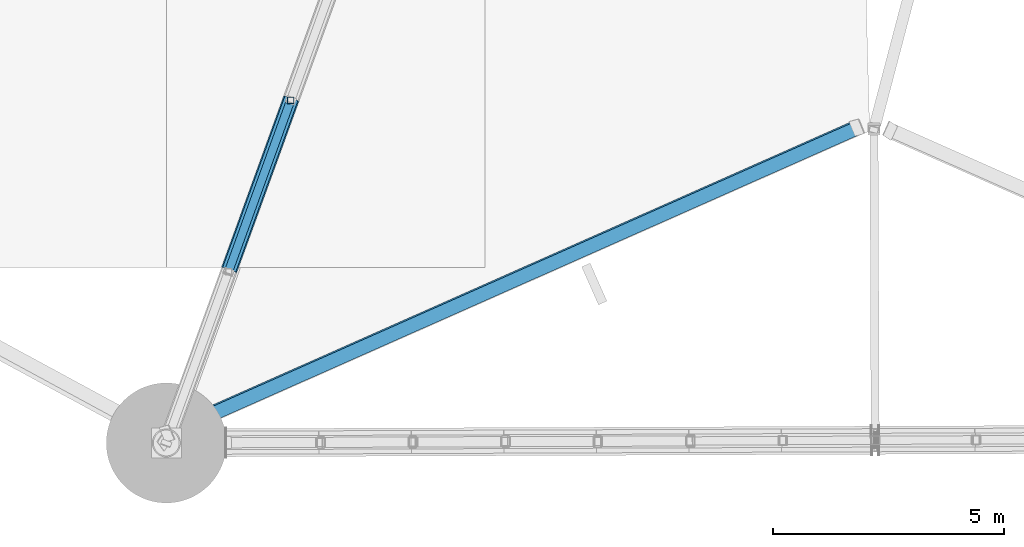
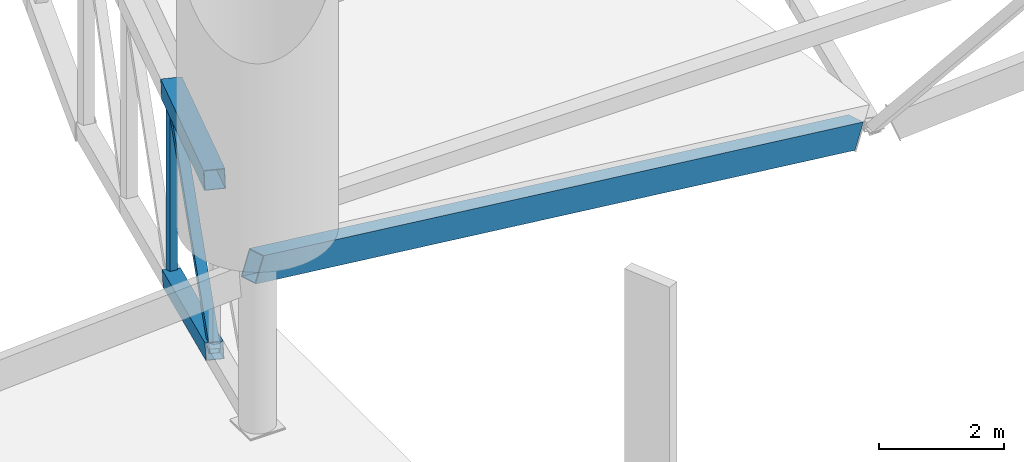
# One storey, part 16 of 188: 4 members, 1 beam.
"""IFC4 building model written with IfcOpenShell, lengths in metres."""

from ifc_helpers import new_model, si_unit, direction, frame, origin, origin_2d, place, context, subcontext, project, spatial, hollow_rectangle, extrude, material, material_profile, profile_set, type_object, element, save


model = new_model("IFC4")

# Units and contexts
model_context = context("Model", 3, precision=1e-05, world=origin(), true_north=direction((0.0, 1.0)))
body_context = subcontext(model_context, "Body", "Model", "MODEL_VIEW")
ifc_project = project(units=[si_unit("LENGTHUNIT", "METRE"), si_unit("AREAUNIT", "SQUARE_METRE"), si_unit("VOLUMEUNIT", "CUBIC_METRE"), si_unit("PLANEANGLEUNIT", "RADIAN"), si_unit("MASSUNIT", "GRAM", prefix="KILO")], contexts=[model_context])

# Site, building, storey
site_placement = place(None, origin())
site = spatial("IfcSite", under=ifc_project, at=site_placement, CompositionType="ELEMENT")
building_placement = place(site_placement, origin())
building = spatial("IfcBuilding", under=site, at=building_placement, Name="Meseta Stadium", CompositionType="ELEMENT")
storey_placement = place(building_placement, frame((0.0, 0.0, 30.0)))
storey = spatial("IfcBuildingStorey", under=building, at=storey_placement, Name="ROOF", CompositionType="ELEMENT", Elevation=30.0)

# Beam
ifc_material_1 = material(Name="Steel S355", Category="steel")
ifc_material_profile_1 = material_profile(ifc_material_1, hollow_rectangle(XDim=0.300048828125, YDim=0.5, WallThickness=0.01611328125, at=origin_2d()), Name="RHS 500x300x16")
ifc_profile_set_1 = profile_set([ifc_material_profile_1], Name="Steel S355")
beam_type = type_object("IfcBeamType", Name="RHS 500x300x16 rim ring beam", PredefinedType="BEAM", material=ifc_profile_set_1)
beam_placement = place(storey_placement, frame((-38.308837890625, -105.18994140625, 10.37353515625), z_axis=(0.847168147272, 0.375703427086, -0.375703427086), x_axis=(-0.384506991046, 0.921512276466, 0.054493101943)))
element("IfcBeam", 1, at=beam_placement, inside=storey, type_object=beam_type, Name="RIM RING BEAM 45", PredefinedType="BEAM", context=body_context, shape_type="SweptSolid", body=[
    extrude(hollow_rectangle(XDim=0.300048828125, YDim=0.5, WallThickness=0.01611328125, at=origin_2d()), origin(), (0.0, 0.0, 1.0), 17.62451171875),
])

# Members
ifc_material_2 = material(Name="Steel S355", Category="steel")
ifc_material_profile_2 = material_profile(ifc_material_2, hollow_rectangle(XDim=0.139892578125, YDim=0.139892578125, WallThickness=0.0048828125, at=origin_2d()), Name="SHS 140x140x5")
ifc_profile_set_2 = profile_set([ifc_material_profile_2], Name="Steel S355")
member_type_1 = type_object("IfcMemberType", Name="SHS 140x140x5 post", PredefinedType="POST", material=ifc_profile_set_2)
member_1_placement = place(storey_placement, frame((-35.638671875, -97.9755859375, 4.841796875), z_axis=(0.0, 0.0, 1.0), x_axis=(1.0, 0.0, 0.0)))
element("IfcMember", 2, at=member_1_placement, inside=storey, type_object=member_type_1, Name="ROOF TRUSS RT-44 post", PredefinedType="POST", context=body_context, shape_type="SweptSolid", body=[
    extrude(hollow_rectangle(XDim=0.139892578125, YDim=0.139892578125, WallThickness=0.0048828125, at=origin_2d()), origin(), (0.0, 0.0, 1.0), 3.714111328125),
])
ifc_material_3 = material(Name="Steel S355", Category="steel")
ifc_material_profile_3 = material_profile(ifc_material_3, hollow_rectangle(XDim=0.179931640625, YDim=0.179931640625, WallThickness=0.00634765625, at=origin_2d()), Name="SHS 180x180x6.3")
ifc_profile_set_3 = profile_set([ifc_material_profile_3], Name="Steel S355")
member_type_2 = type_object("IfcMemberType", Name="SHS 180x180x6.3 diagonal", PredefinedType="BRACE", material=ifc_profile_set_3)
member_2_placement = place(storey_placement, frame((-35.638671875, -97.9755859375, 8.555908203125), z_axis=(-0.290629067387, -0.80069124291, -0.523859025614), x_axis=(0.939993617299, -0.341192027219, 0.0)))
element("IfcMember", 3, at=member_2_placement, inside=storey, type_object=member_type_2, Name="ROOF TRUSS RT-44 diagonal", PredefinedType="BRACE", context=body_context, shape_type="SweptSolid", body=[
    extrude(hollow_rectangle(XDim=0.179931640625, YDim=0.179931640625, WallThickness=0.00634765625, at=origin_2d()), origin(), (0.0, 0.0, 1.0), 4.63623046875),
])
ifc_material_4 = material(Name="Steel S355", Category="steel")
ifc_material_profile_4 = material_profile(ifc_material_4, hollow_rectangle(XDim=0.300048828125, YDim=0.300048828125, WallThickness=0.010009765625, at=origin_2d()), Name="SHS 300x300x10")
ifc_profile_set_4 = profile_set([ifc_material_profile_4], Name="Steel S355")
member_type_3 = type_object("IfcMemberType", Name="SHS 300x300x10 bottom chord", PredefinedType="CHORD", material=ifc_profile_set_4)
member_3_placement = place(storey_placement, frame((-35.638671875, -97.9755859375, 4.841796875), z_axis=(-0.324438535992, -0.893837278449, 0.309506956332), x_axis=(0.939993617299, -0.341192027219, 0.0)))
element("IfcMember", 4, at=member_3_placement, inside=storey, type_object=member_type_3, Name="ROOF TRUSS RT-44 bottom chord", PredefinedType="CHORD", context=body_context, shape_type="SweptSolid", body=[
    extrude(hollow_rectangle(XDim=0.300048828125, YDim=0.300048828125, WallThickness=0.010009765625, at=origin_2d()), origin(), (0.0, 0.0, 1.0), 4.153076171875),
])
ifc_material_5 = material(Name="Steel S355", Category="steel")
ifc_material_profile_5 = material_profile(ifc_material_5, hollow_rectangle(XDim=0.35009765625, YDim=0.35009765625, WallThickness=0.010009765625, at=origin_2d()), Name="SHS 350x350x10")
ifc_profile_set_5 = profile_set([ifc_material_profile_5], Name="Steel S355")
member_type_4 = type_object("IfcMemberType", Name="SHS 350x350x10 top chord", PredefinedType="CHORD", material=ifc_profile_set_5)
member_4_placement = place(storey_placement, frame((-35.638671875, -97.9755859375, 8.555908203125), z_axis=(-0.332136058049, -0.915044167899, 0.228866357811), x_axis=(0.939993617299, -0.341192027219, 0.0)))
element("IfcMember", 5, at=member_4_placement, inside=storey, type_object=member_type_4, Name="ROOF TRUSS RT-44 top chord", PredefinedType="CHORD", context=body_context, shape_type="SweptSolid", body=[
    extrude(hollow_rectangle(XDim=0.35009765625, YDim=0.35009765625, WallThickness=0.010009765625, at=origin_2d()), origin(), (0.0, 0.0, 1.0), 4.056884765625),
])

save(model, "model.ifc")
